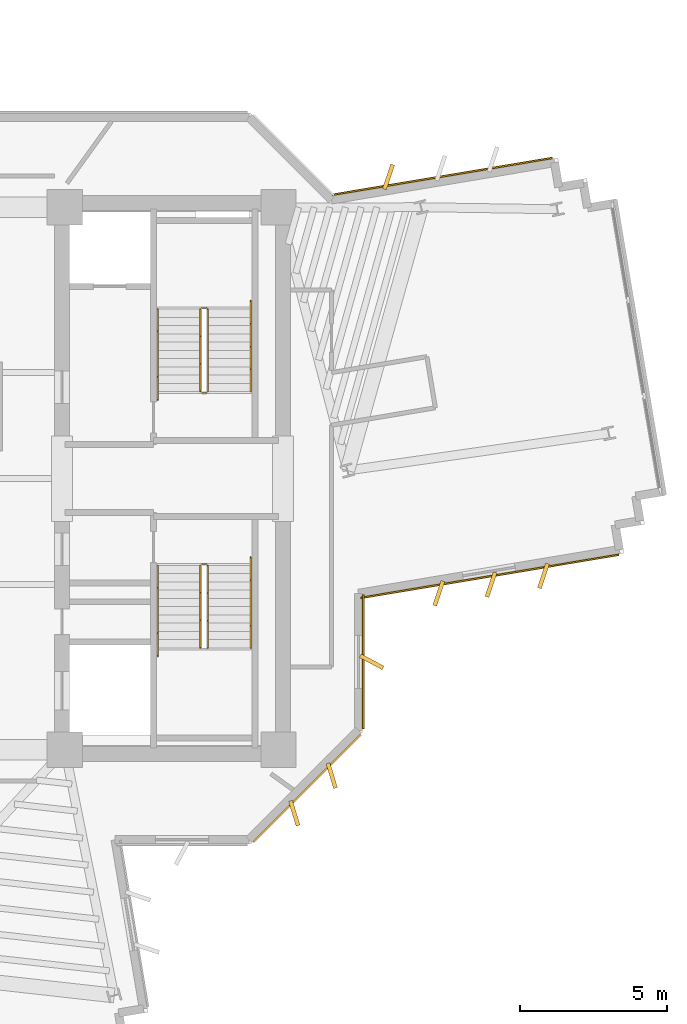
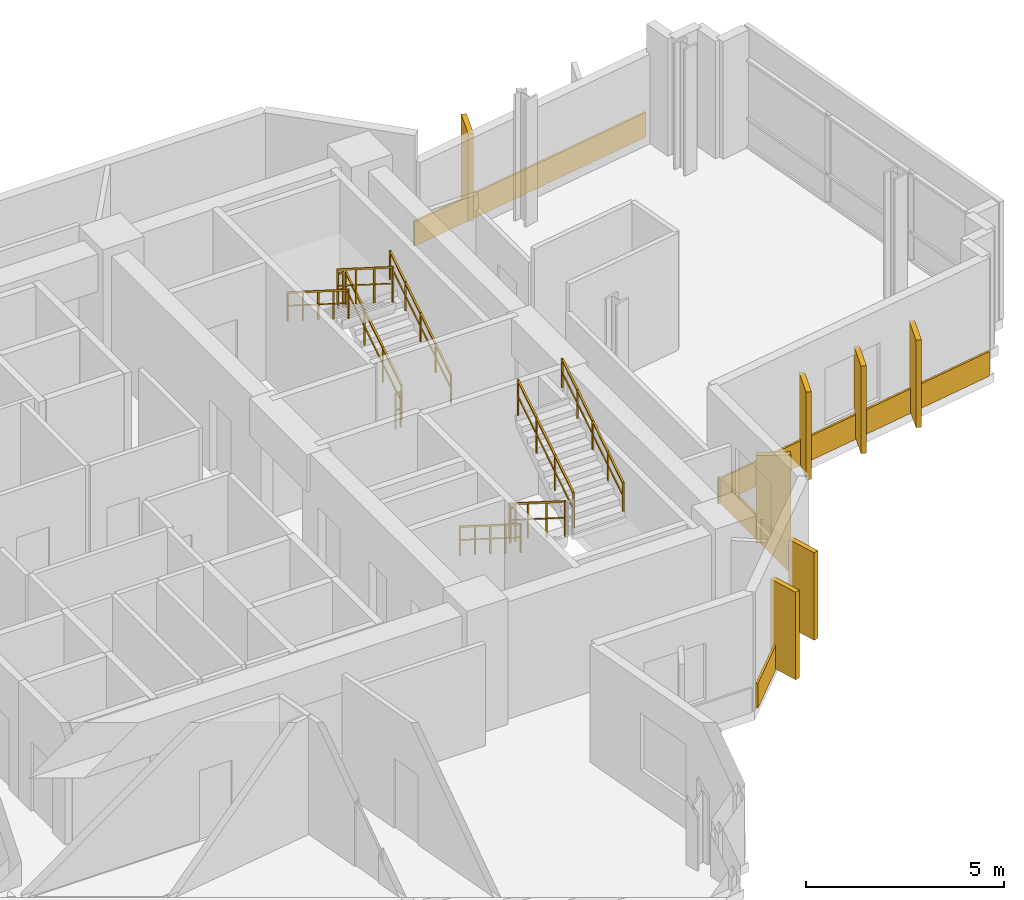
# One storey, part 14 of 15: 11 coverings, 11 railings.
"""IFC4 building model written with IfcOpenShell, lengths in metres."""

import ifcopenshell
import ifcopenshell.guid

model = None  # the IFC model being written
_history = None  # IfcOwnerHistory: only IFC2X3 demands one
_inside = {}  # id of a spatial element -> (the spatial element, [elements in it])
_under = {}  # id of a project, library or spatial element -> (it, [spatial elements below it])
_declared = {}  # id of a project -> (the project, [libraries it declares])
_typed = {}  # id of a type object -> (the type object, [elements of that type])
_made_of = {}  # id of a material, layer set ... -> (it, [elements and type objects made of it])


def new_model(schema):
    """Start an empty IFC model of exactly this schema.

    Asked for "IFC4X3", IfcOpenShell would pick the latest addendum, in which some entities
    have other attributes; the version numbers below select the first issue.
    IFC2X3 requires an IfcOwnerHistory on every rooted entity: one is made here for all.
    """
    global model, _history
    if schema == "IFC4X3":
        model = ifcopenshell.file(schema_version=(4, 3, 0, 0))
    else:
        model = ifcopenshell.file(schema=schema)
    _inside.clear()
    _under.clear()
    _declared.clear()
    _typed.clear()
    _made_of.clear()
    _history = None
    if model.schema == "IFC2X3":
        org = make("IfcOrganization", Name="unknown")
        user = make(
            "IfcPersonAndOrganization",
            ThePerson=make("IfcPerson", FamilyName="unknown"),
            TheOrganization=org,
        )
        app = make(
            "IfcApplication",
            ApplicationDeveloper=org,
            Version="unknown",
            ApplicationFullName="unknown",
            ApplicationIdentifier="unknown",
        )
        _history = make(
            "IfcOwnerHistory",
            OwningUser=user,
            OwningApplication=app,
            ChangeAction="ADDED",
            CreationDate=0,
        )
    return model


def make(cls, **values):
    """One entity of the class cls with the attributes given. An attribute that is None is left unset."""
    return model.create_entity(
        cls, **{name: value for name, value in values.items() if value is not None}
    )


def rooted(cls, **values):
    """An entity with a GlobalId (a new one), such as an element, a storey or a relation."""
    return make(cls, GlobalId=ifcopenshell.guid.new(), OwnerHistory=_history, **values)


def si_unit(unit_type, name, prefix=None):
    """IfcSIUnit, for example si_unit("LENGTHUNIT", "METRE", prefix="MILLI")."""
    return make("IfcSIUnit", UnitType=unit_type, Prefix=prefix, Name=name)


def assignment(units):
    """IfcUnitAssignment: the units of a project."""
    return None if units is None else make("IfcUnitAssignment", Units=units)


def point(xyz):
    """IfcCartesianPoint."""
    return None if xyz is None else make("IfcCartesianPoint", Coordinates=xyz)


def direction(xyz):
    """IfcDirection."""
    return None if xyz is None else make("IfcDirection", DirectionRatios=xyz)


def frame(location, z_axis=None, x_axis=None):
    """IfcAxis2Placement3D, a coordinate frame: its origin and axes. An axis left out is left unset."""
    return make(
        "IfcAxis2Placement3D",
        Location=point(location),
        Axis=direction(z_axis),
        RefDirection=direction(x_axis),
    )


def frame_2d(location, x_axis=None):
    """IfcAxis2Placement2D, a coordinate frame in the plane: its origin and x axis."""
    return make(
        "IfcAxis2Placement2D", Location=point(location), RefDirection=direction(x_axis)
    )


def origin():
    """The frame at (0, 0, 0) with its axes left unset."""
    return frame((0.0, 0.0, 0.0))


def origin_2d():
    """The frame at (0, 0) in the plane with its x axis left unset."""
    return frame_2d((0.0, 0.0))


def place(relative_to, where):
    """IfcLocalPlacement: puts the frame where relative to a parent placement (None: the world)."""
    return make(
        "IfcLocalPlacement", PlacementRelTo=relative_to, RelativePlacement=where
    )


def context(
    kind, dimensions, precision=None, world=None, true_north=None, identifier=None
):
    """IfcGeometricRepresentationContext, for example the 3D "Model" context."""
    return make(
        "IfcGeometricRepresentationContext",
        ContextIdentifier=identifier,
        ContextType=kind,
        CoordinateSpaceDimension=dimensions,
        Precision=precision,
        WorldCoordinateSystem=world,
        TrueNorth=true_north,
    )


def subcontext(parent, identifier, kind, view, scale=None):
    """IfcGeometricRepresentationSubContext, for example "Body" below "Model"."""
    return make(
        "IfcGeometricRepresentationSubContext",
        ContextIdentifier=identifier,
        ContextType=kind,
        ParentContext=parent,
        TargetScale=scale,
        TargetView=view,
    )


def project(units=None, contexts=None):
    """IfcProject with its units and contexts."""
    return rooted(
        "IfcProject",
        Name="project",
        RepresentationContexts=contexts,
        UnitsInContext=assignment(units),
    )


def spatial(cls, under=None, at=None, **own):
    """A site, building, storey or space (cls), placed at a placement, below another one or the project."""
    s = rooted(cls, ObjectPlacement=at, **own)
    if under is not None:
        _under.setdefault(under.id(), (under, []))[1].append(s)
    return s


def profile(cls, at=None, kind="AREA", **sizes):
    """A parametric profile (cls). Its sizes go by their IFC names, for example OverallWidth=200.0."""
    return make(cls, ProfileType=kind, Position=at, **sizes)


def rectangle(**sizes):
    """IfcRectangleProfileDef."""
    return profile("IfcRectangleProfileDef", **sizes)


def extrude(swept, where, along, depth):
    """IfcExtrudedAreaSolid: the profile swept, set in the frame where, extruded along a direction by depth."""
    return make(
        "IfcExtrudedAreaSolid",
        SweptArea=swept,
        Position=where,
        ExtrudedDirection=direction(along),
        Depth=depth,
    )


def shape(context_of_items, identifier, shape_type, items):
    """IfcShapeRepresentation: the items that make up one representation, for example the "Body"."""
    return make(
        "IfcShapeRepresentation",
        ContextOfItems=context_of_items,
        RepresentationIdentifier=identifier,
        RepresentationType=shape_type,
        Items=items,
    )


def source(mapping_origin, context_of_items, identifier, shape_type, items):
    """IfcRepresentationMap: a shape defined once, which mapped items show again and again."""
    return make(
        "IfcRepresentationMap",
        MappingOrigin=mapping_origin,
        MappedRepresentation=shape(context_of_items, identifier, shape_type, items),
    )


def transform(
    local_origin,
    x_axis=None,
    y_axis=None,
    z_axis=None,
    scale=None,
    scale2=None,
    scale3=None,
    uniform=True,
):
    """IfcCartesianTransformationOperator3D, or its non-uniform kind. x_axis, y_axis, z_axis: its Axis1, 2, 3."""
    if uniform:
        return make(
            "IfcCartesianTransformationOperator3D",
            Axis1=direction(x_axis),
            Axis2=direction(y_axis),
            LocalOrigin=point(local_origin),
            Scale=scale,
            Axis3=direction(z_axis),
        )
    return make(
        "IfcCartesianTransformationOperator3DnonUniform",
        Axis1=direction(x_axis),
        Axis2=direction(y_axis),
        LocalOrigin=point(local_origin),
        Scale=scale,
        Axis3=direction(z_axis),
        Scale2=scale2,
        Scale3=scale3,
    )


def mapped(mapping_source, mapping_target):
    """IfcMappedItem: shows the shape of a source again, moved by a transform."""
    return make(
        "IfcMappedItem", MappingSource=mapping_source, MappingTarget=mapping_target
    )


def material(Name=None, Category=None):
    """IfcMaterial."""
    return make("IfcMaterial", Name=Name, Category=Category)


def layer(
    of_material, thickness, ventilated=None, Name=None, Category=None, Priority=None
):
    """IfcMaterialLayer: one layer of a wall or slab, of a material (None: an air gap)."""
    return make(
        "IfcMaterialLayer",
        Material=of_material,
        LayerThickness=thickness,
        IsVentilated=ventilated,
        Name=Name,
        Category=Category,
        Priority=Priority,
    )


def layer_set(layers, Name=None):
    """IfcMaterialLayerSet."""
    return make("IfcMaterialLayerSet", MaterialLayers=layers, LayerSetName=Name)


def made_of(thing, what):
    """Note that an element or type object is made of a material, layer set ...; save() writes the relation."""
    if what is not None:
        _made_of.setdefault(what.id(), (what, []))[1].append(thing)
    return thing


def type_object(cls, material=None, **own):
    """A type object (cls), such as IfcWallType, which elements share."""
    return made_of(rooted(cls, **own), material)


def element(
    cls,
    number,
    at=None,
    inside=None,
    cuts=None,
    type_object=None,
    material=None,
    context=None,
    identifier="Body",
    shape_type=None,
    held_by="IfcProductDefinitionShape",
    body=None,
    shapes=None,
    **own,
):
    """One element of the class cls, such as IfcWall. Its Tag is "e" and its number.

    at: its placement. inside: the storey or other place that contains it. cuts: it is an
    opening in that element (IfcRelVoidsElement). A single representation is given by context,
    identifier, shape_type and body (its items); several are given by shapes. held_by: the class
    of the entity that holds the representations. save() writes the other relations.
    """
    e = rooted(cls, Tag="e%d" % number, ObjectPlacement=at, **own)
    if body is not None:
        shapes = [shape(context, identifier, shape_type, body)]
    if shapes is not None:
        e.Representation = make(held_by, Representations=shapes)
    if inside is not None:
        _inside.setdefault(inside.id(), (inside, []))[1].append(e)
    if cuts is not None:
        rooted(
            "IfcRelVoidsElement", RelatingBuildingElement=cuts, RelatedOpeningElement=e
        )
    if type_object is not None:
        _typed.setdefault(type_object.id(), (type_object, []))[1].append(e)
    return made_of(e, material)


def aggregate(whole, parts):
    """IfcRelAggregates: a whole, such as a stair, and the parts it consists of."""
    return rooted("IfcRelAggregates", RelatingObject=whole, RelatedObjects=parts)


def save(model, path):
    """Write the relations noted so far, then the file.

    IfcRelAggregates (storeys below a building ...), IfcRelContainedInSpatialStructure (elements
    in a storey), IfcRelDefinesByType, IfcRelAssociatesMaterial and IfcRelDeclares: one each for
    every whole, place, type object, material and project.
    """
    for whole, parts in _under.values():
        aggregate(whole, parts)
    for where, things in _inside.values():
        rooted(
            "IfcRelContainedInSpatialStructure",
            RelatedElements=things,
            RelatingStructure=where,
        )
    for kind, things in _typed.values():
        rooted("IfcRelDefinesByType", RelatedObjects=things, RelatingType=kind)
    for what, things in _made_of.values():
        rooted("IfcRelAssociatesMaterial", RelatedObjects=things, RelatingMaterial=what)
    for by, libraries in _declared.values():
        rooted("IfcRelDeclares", RelatingContext=by, RelatedDefinitions=libraries)
    model.write(path)


model = new_model("IFC4")

# Units and contexts
model_context = context("Model", 3, precision=1e-05, world=origin(), true_north=direction((0.0, 1.0)))
body_context = subcontext(model_context, "Body", "Model", "MODEL_VIEW")
ifc_project = project(units=[si_unit("LENGTHUNIT", "METRE"), si_unit("AREAUNIT", "SQUARE_METRE"), si_unit("VOLUMEUNIT", "CUBIC_METRE"), si_unit("PLANEANGLEUNIT", "RADIAN"), si_unit("MASSUNIT", "GRAM", prefix="KILO")], contexts=[model_context])

# Site, building, storey
site_placement = place(None, origin())
site = spatial("IfcSite", under=ifc_project, at=site_placement, CompositionType="ELEMENT")
building_placement = place(site_placement, origin())
building = spatial("IfcBuilding", under=site, at=building_placement, Name="Zahravan Cultural Tower", CompositionType="ELEMENT")
storey_placement = place(building_placement, frame((0.0, 0.0, 143.39990234375)))
storey = spatial("IfcBuildingStorey", under=building, at=storey_placement, Name="L32", CompositionType="ELEMENT", Elevation=143.39990234375)

# Railings
ifc_material_1 = material(Name="Steel ASTM A572 Grade 50", Category="steel")
railing_type_1 = type_object("IfcRailingType", Name="RL-STAIR-GRD1150", PredefinedType="BALUSTRADE", material=ifc_material_1)
railing_1_placement = place(storey_placement, frame((47.949951171875, 29.949951171875, 0.177490234375)))
element("IfcRailing", 1, at=railing_1_placement, inside=storey, type_object=railing_type_1, Name="L32 ST-E1 stair guard 1", PredefinedType="BALUSTRADE", context=body_context, shape_type="SweptSolid", body=[
    extrude(rectangle(XDim=0.05, YDim=0.05, at=origin_2d()), frame((0.0, 0.0, 1.0751953125), z_axis=(0.0, 0.844908973607, 0.534910110503), x_axis=(-1.0, 0.0, 0.0)), (0.0, 0.0, 1.0), 3.31396484375),
    extrude(rectangle(XDim=0.032, YDim=0.032, at=origin_2d()), frame((0.0, 0.0, 0.572021484375), z_axis=(0.0, 0.844908973607, 0.534910110503), x_axis=(-1.0, 0.0, 0.0)), (0.0, 0.0, 1.0), 3.31396484375),
    extrude(rectangle(XDim=0.04, YDim=0.04, at=origin_2d()), origin(), (0.0, 0.0, 1.0), 1.10009765625),
    extrude(rectangle(XDim=0.04, YDim=0.04, at=origin_2d()), frame((0.0, 0.933349609375, 0.5908203125)), (0.0, 0.0, 1.0), 1.10009765625),
    extrude(rectangle(XDim=0.04, YDim=0.04, at=origin_2d()), frame((0.0, 1.86669921875, 1.181884765625)), (0.0, 0.0, 1.0), 1.10009765625),
    extrude(rectangle(XDim=0.04, YDim=0.04, at=origin_2d()), frame((0.0, 2.800048828125, 1.772705078125)), (0.0, 0.0, 1.0), 1.10009765625),
])
railing_2_placement = place(storey_placement, frame((47.89990234375, 32.800048828125, 1.9501953125)))
element("IfcRailing", 2, at=railing_2_placement, inside=storey, type_object=railing_type_1, Name="L32 ST-E1 stair guard 2", PredefinedType="BALUSTRADE", context=body_context, shape_type="SweptSolid", body=[
    extrude(rectangle(XDim=0.05, YDim=0.05, at=origin_2d()), frame((0.0, 0.0, 1.0751953125), z_axis=(-1.0, 0.0, 0.0), x_axis=(0.0, -1.0, 0.0)), (0.0, 0.0, 1.0), 0.14990234375),
    extrude(rectangle(XDim=0.032, YDim=0.032, at=origin_2d()), frame((0.0, 0.0, 0.572021484375), z_axis=(-1.0, 0.0, 0.0), x_axis=(0.0, -1.0, 0.0)), (0.0, 0.0, 1.0), 0.14990234375),
    extrude(rectangle(XDim=0.04, YDim=0.04, at=origin_2d()), origin(), (0.0, 0.0, 1.0), 1.10009765625),
    extrude(rectangle(XDim=0.04, YDim=0.04, at=origin_2d()), frame((-0.14990234375, 0.0, 0.0)), (0.0, 0.0, 1.0), 1.10009765625),
])
railing_3_placement = place(storey_placement, frame((47.699951171875, 32.75, 2.12744140625)))
element("IfcRailing", 3, at=railing_3_placement, inside=storey, type_object=railing_type_1, Name="L32 ST-E1 stair guard 3", PredefinedType="BALUSTRADE", context=body_context, shape_type="SweptSolid", body=[
    extrude(rectangle(XDim=0.05, YDim=0.05, at=origin_2d()), frame((0.0, 0.0, 1.0751953125), z_axis=(0.0, -0.844908973607, 0.534910110503), x_axis=(1.0, 0.0, 0.0)), (0.0, 0.0, 1.0), 3.31396484375),
    extrude(rectangle(XDim=0.032, YDim=0.032, at=origin_2d()), frame((0.0, 0.0, 0.572021484375), z_axis=(0.0, -0.844908973607, 0.534910110503), x_axis=(1.0, 0.0, 0.0)), (0.0, 0.0, 1.0), 3.31396484375),
    extrude(rectangle(XDim=0.04, YDim=0.04, at=origin_2d()), origin(), (0.0, 0.0, 1.0), 1.10009765625),
    extrude(rectangle(XDim=0.04, YDim=0.04, at=origin_2d()), frame((0.0, -0.933349609375, 0.5908203125)), (0.0, 0.0, 1.0), 1.10009765625),
    extrude(rectangle(XDim=0.04, YDim=0.04, at=origin_2d()), frame((0.0, -1.86669921875, 1.181884765625)), (0.0, 0.0, 1.0), 1.10009765625),
    extrude(rectangle(XDim=0.04, YDim=0.04, at=origin_2d()), frame((0.0, -2.800048828125, 1.772705078125)), (0.0, 0.0, 1.0), 1.10009765625),
])
railing_4_placement = place(storey_placement, frame((47.89990234375, 29.89990234375, 0.0)))
element("IfcRailing", 4, at=railing_4_placement, inside=storey, type_object=railing_type_1, Name="L32 ST-E1 stair guard 4", PredefinedType="BALUSTRADE", context=body_context, shape_type="SweptSolid", body=[
    extrude(rectangle(XDim=0.05, YDim=0.05, at=origin_2d()), frame((0.0, 0.0, 1.0751953125), z_axis=(-1.0, 0.0, 0.0), x_axis=(0.0, -1.0, 0.0)), (0.0, 0.0, 1.0), 0.14990234375),
    extrude(rectangle(XDim=0.032, YDim=0.032, at=origin_2d()), frame((0.0, 0.0, 0.572021484375), z_axis=(-1.0, 0.0, 0.0), x_axis=(0.0, -1.0, 0.0)), (0.0, 0.0, 1.0), 0.14990234375),
    extrude(rectangle(XDim=0.04, YDim=0.04, at=origin_2d()), origin(), (0.0, 0.0, 1.0), 1.10009765625),
    extrude(rectangle(XDim=0.04, YDim=0.04, at=origin_2d()), frame((-0.14990234375, 0.0, 0.0)), (0.0, 0.0, 1.0), 1.10009765625),
])
railing_5_placement = place(storey_placement, frame((47.699951171875, 24.050048828125, 0.177490234375)))
element("IfcRailing", 5, at=railing_5_placement, inside=storey, type_object=railing_type_1, Name="L32 ST-E2 stair guard 1", PredefinedType="BALUSTRADE", context=body_context, shape_type="SweptSolid", body=[
    extrude(rectangle(XDim=0.05, YDim=0.05, at=origin_2d()), frame((0.0, 0.0, 1.0751953125), z_axis=(0.0, -0.844908973607, 0.534910110503), x_axis=(1.0, 0.0, 0.0)), (0.0, 0.0, 1.0), 3.31396484375),
    extrude(rectangle(XDim=0.032, YDim=0.032, at=origin_2d()), frame((0.0, 0.0, 0.572021484375), z_axis=(0.0, -0.844908973607, 0.534910110503), x_axis=(1.0, 0.0, 0.0)), (0.0, 0.0, 1.0), 3.31396484375),
    extrude(rectangle(XDim=0.04, YDim=0.04, at=origin_2d()), origin(), (0.0, 0.0, 1.0), 1.10009765625),
    extrude(rectangle(XDim=0.04, YDim=0.04, at=origin_2d()), frame((0.0, -0.933349609375, 0.5908203125)), (0.0, 0.0, 1.0), 1.10009765625),
    extrude(rectangle(XDim=0.04, YDim=0.04, at=origin_2d()), frame((0.0, -1.86669921875, 1.181884765625)), (0.0, 0.0, 1.0), 1.10009765625),
    extrude(rectangle(XDim=0.04, YDim=0.04, at=origin_2d()), frame((0.0, -2.800048828125, 1.772705078125)), (0.0, 0.0, 1.0), 1.10009765625),
])
railing_6_placement = place(storey_placement, frame((47.949951171875, 21.25, 2.12744140625)))
element("IfcRailing", 6, at=railing_6_placement, inside=storey, type_object=railing_type_1, Name="L32 ST-E2 stair guard 3", PredefinedType="BALUSTRADE", context=body_context, shape_type="SweptSolid", body=[
    extrude(rectangle(XDim=0.05, YDim=0.05, at=origin_2d()), frame((0.0, 0.0, 1.0751953125), z_axis=(0.0, 0.844908973607, 0.534910110503), x_axis=(-1.0, 0.0, 0.0)), (0.0, 0.0, 1.0), 3.31396484375),
    extrude(rectangle(XDim=0.032, YDim=0.032, at=origin_2d()), frame((0.0, 0.0, 0.572021484375), z_axis=(0.0, 0.844908973607, 0.534910110503), x_axis=(-1.0, 0.0, 0.0)), (0.0, 0.0, 1.0), 3.31396484375),
    extrude(rectangle(XDim=0.04, YDim=0.04, at=origin_2d()), origin(), (0.0, 0.0, 1.0), 1.10009765625),
    extrude(rectangle(XDim=0.04, YDim=0.04, at=origin_2d()), frame((0.0, 0.933349609375, 0.5908203125)), (0.0, 0.0, 1.0), 1.10009765625),
    extrude(rectangle(XDim=0.04, YDim=0.04, at=origin_2d()), frame((0.0, 1.86669921875, 1.181884765625)), (0.0, 0.0, 1.0), 1.10009765625),
    extrude(rectangle(XDim=0.04, YDim=0.04, at=origin_2d()), frame((0.0, 2.800048828125, 1.772705078125)), (0.0, 0.0, 1.0), 1.10009765625),
])
railing_7_placement = place(storey_placement, frame((47.75, 24.10009765625, 0.0)))
element("IfcRailing", 7, at=railing_7_placement, inside=storey, type_object=railing_type_1, Name="L32 ST-E2 stair guard 4", PredefinedType="BALUSTRADE", context=body_context, shape_type="SweptSolid", body=[
    extrude(rectangle(XDim=0.05, YDim=0.05, at=origin_2d()), frame((0.0, 0.0, 1.0751953125), z_axis=(1.0, 0.0, 0.0), x_axis=(0.0, 1.0, 0.0)), (0.0, 0.0, 1.0), 0.14990234375),
    extrude(rectangle(XDim=0.032, YDim=0.032, at=origin_2d()), frame((0.0, 0.0, 0.572021484375), z_axis=(1.0, 0.0, 0.0), x_axis=(0.0, 1.0, 0.0)), (0.0, 0.0, 1.0), 0.14990234375),
    extrude(rectangle(XDim=0.04, YDim=0.04, at=origin_2d()), origin(), (0.0, 0.0, 1.0), 1.10009765625),
    extrude(rectangle(XDim=0.04, YDim=0.04, at=origin_2d()), frame((0.14990234375, 0.0, 0.0)), (0.0, 0.0, 1.0), 1.10009765625),
])
railing_type_2 = type_object("IfcRailingType", Name="RL-STAIR-HR900", PredefinedType="HANDRAIL", material=ifc_material_1)
railing_8_placement = place(storey_placement, frame((49.39990234375, 29.949951171875, 0.177490234375)))
element("IfcRailing", 8, at=railing_8_placement, inside=storey, type_object=railing_type_2, Name="L32 ST-E1 stair handrail 1", PredefinedType="HANDRAIL", context=body_context, shape_type="SweptSolid", body=[
    extrude(rectangle(XDim=0.05, YDim=0.05, at=origin_2d()), frame((0.0, 0.0, 0.875), z_axis=(0.0, 0.844913916606, 0.534902302785), x_axis=(-1.0, 0.0, 0.0)), (0.0, 0.0, 1.0), 3.6455078125),
    extrude(rectangle(XDim=0.032, YDim=0.032, at=origin_2d()), frame((0.0, 0.0, 0.468017578125), z_axis=(0.0, 0.844913916606, 0.534902302785), x_axis=(-1.0, 0.0, 0.0)), (0.0, 0.0, 1.0), 3.6455078125),
    extrude(rectangle(XDim=0.04, YDim=0.04, at=origin_2d()), origin(), (0.0, 0.0, 1.0), 0.89990234375),
    extrude(rectangle(XDim=0.04, YDim=0.04, at=origin_2d()), frame((0.0, 0.77001953125, 0.487548828125)), (0.0, 0.0, 1.0), 0.89990234375),
    extrude(rectangle(XDim=0.04, YDim=0.04, at=origin_2d()), frame((0.0, 1.5400390625, 0.97509765625)), (0.0, 0.0, 1.0), 0.89990234375),
    extrude(rectangle(XDim=0.04, YDim=0.04, at=origin_2d()), frame((0.0, 2.31005859375, 1.46240234375)), (0.0, 0.0, 1.0), 0.89990234375),
    extrude(rectangle(XDim=0.04, YDim=0.04, at=origin_2d()), frame((0.0, 3.080078125, 1.949951171875)), (0.0, 0.0, 1.0), 0.89990234375),
])
for number, where, name in (
    (9, (46.25, 32.75, 2.12744140625), "L32 ST-E1 stair handrail 2"),
    (10, (46.25, 24.050048828125, 0.177490234375), "L32 ST-E2 stair handrail 1"),
):
    element("IfcRailing", number, at=place(storey_placement, frame(where)), inside=storey, type_object=railing_type_2, Name=name, PredefinedType="HANDRAIL", context=body_context, shape_type="SweptSolid", body=[
        extrude(rectangle(XDim=0.05, YDim=0.05, at=origin_2d()), frame((0.0, 0.0, 0.875), z_axis=(0.0, -0.844913916606, 0.534902302785), x_axis=(1.0, 0.0, 0.0)), (0.0, 0.0, 1.0), 3.6455078125),
        extrude(rectangle(XDim=0.032, YDim=0.032, at=origin_2d()), frame((0.0, 0.0, 0.468017578125), z_axis=(0.0, -0.844913916606, 0.534902302785), x_axis=(1.0, 0.0, 0.0)), (0.0, 0.0, 1.0), 3.6455078125),
        extrude(rectangle(XDim=0.04, YDim=0.04, at=origin_2d()), origin(), (0.0, 0.0, 1.0), 0.89990234375),
        extrude(rectangle(XDim=0.04, YDim=0.04, at=origin_2d()), frame((0.0, -0.77001953125, 0.487548828125)), (0.0, 0.0, 1.0), 0.89990234375),
        extrude(rectangle(XDim=0.04, YDim=0.04, at=origin_2d()), frame((0.0, -1.5400390625, 0.97509765625)), (0.0, 0.0, 1.0), 0.89990234375),
        extrude(rectangle(XDim=0.04, YDim=0.04, at=origin_2d()), frame((0.0, -2.31005859375, 1.46240234375)), (0.0, 0.0, 1.0), 0.89990234375),
        extrude(rectangle(XDim=0.04, YDim=0.04, at=origin_2d()), frame((0.0, -3.080078125, 1.949951171875)), (0.0, 0.0, 1.0), 0.89990234375),
    ])
railing_9_placement = place(storey_placement, frame((49.39990234375, 21.25, 2.12744140625)))
element("IfcRailing", 11, at=railing_9_placement, inside=storey, type_object=railing_type_2, Name="L32 ST-E2 stair handrail 2", PredefinedType="HANDRAIL", context=body_context, shape_type="SweptSolid", body=[
    extrude(rectangle(XDim=0.05, YDim=0.05, at=origin_2d()), frame((0.0, 0.0, 0.875), z_axis=(0.0, 0.844913916606, 0.534902302785), x_axis=(-1.0, 0.0, 0.0)), (0.0, 0.0, 1.0), 3.6455078125),
    extrude(rectangle(XDim=0.032, YDim=0.032, at=origin_2d()), frame((0.0, 0.0, 0.468017578125), z_axis=(0.0, 0.844913916606, 0.534902302785), x_axis=(-1.0, 0.0, 0.0)), (0.0, 0.0, 1.0), 3.6455078125),
    extrude(rectangle(XDim=0.04, YDim=0.04, at=origin_2d()), origin(), (0.0, 0.0, 1.0), 0.89990234375),
    extrude(rectangle(XDim=0.04, YDim=0.04, at=origin_2d()), frame((0.0, 0.77001953125, 0.487548828125)), (0.0, 0.0, 1.0), 0.89990234375),
    extrude(rectangle(XDim=0.04, YDim=0.04, at=origin_2d()), frame((0.0, 1.5400390625, 0.97509765625)), (0.0, 0.0, 1.0), 0.89990234375),
    extrude(rectangle(XDim=0.04, YDim=0.04, at=origin_2d()), frame((0.0, 2.31005859375, 1.46240234375)), (0.0, 0.0, 1.0), 0.89990234375),
    extrude(rectangle(XDim=0.04, YDim=0.04, at=origin_2d()), frame((0.0, 3.080078125, 1.949951171875)), (0.0, 0.0, 1.0), 0.89990234375),
])

# Coverings
ifc_material_2 = material(Name="Terracotta ceramic cladding", Category="masonry")
ifc_layer = layer(ifc_material_2, 0.06005859375)
ifc_layer_set = layer_set([ifc_layer], Name="Terracotta ceramic cladding")
covering_type = type_object("IfcCoveringType", Name="COV-CLAD-TC60", PredefinedType="CLADDING", material=ifc_layer_set)
shared_shape_1 = source(origin(), body_context, "Body", "SweptSolid", [
    extrude(rectangle(XDim=5.157958984375, YDim=0.06005859375, at=origin_2d()), origin(), (0.0, 0.0, 1.0), 0.760009765625),
])
covering_1_placement = place(storey_placement, frame((51.317626953125, 16.482421875, 0.02001953125), z_axis=(0.0, 0.0, 1.0), x_axis=(-0.707106781187, -0.707106781187, 0.0)))
element("IfcCovering", 12, at=covering_1_placement, inside=storey, type_object=covering_type, Name="L32 Terracotta Spandrel Cladding 12", PredefinedType="CLADDING", context=body_context, shape_type="MappedRepresentation", body=[
    mapped(shared_shape_1, transform((0.0, 0.0, 0.0), x_axis=(1.0, 0.0, 0.0), y_axis=(0.0, 1.0, 0.0), z_axis=(0.0, 0.0, 1.0), scale=1.0)),
])
shared_shape_2 = source(origin(), body_context, "Body", "SweptSolid", [
    extrude(rectangle(XDim=7.573486328125, YDim=0.06005859375, at=origin_2d()), origin(), (0.0, 0.0, 1.0), 0.760009765625),
])
covering_2_placement = place(storey_placement, frame((55.904296875, 37.250732421875, 0.02001953125), z_axis=(0.0, 0.0, 1.0), x_axis=(0.986285601537, 0.165047605861, 0.0)))
element("IfcCovering", 13, at=covering_2_placement, inside=storey, type_object=covering_type, Name="L32 Terracotta Spandrel Cladding 01", PredefinedType="CLADDING", context=body_context, shape_type="MappedRepresentation", body=[
    mapped(shared_shape_2, transform((0.0, 0.0, 0.0), x_axis=(1.0, 0.0, 0.0), y_axis=(0.0, 1.0, 0.0), z_axis=(0.0, 0.0, 1.0), scale=1.0)),
])
shared_shape_3 = source(origin(), body_context, "Body", "SweptSolid", [
    extrude(rectangle(XDim=0.8798828125, YDim=0.139892578125, at=origin_2d()), origin(), (0.0, 0.0, 1.0), 2.699951171875),
])
for number, where, z_axis, x_axis, name in (
    (14, (54.081787109375, 37.234619140625, 0.05029296875), (0.0, 0.0, 1.0), (0.317304656405, 0.948323655206, 0.0), "L32 Herringbone Terracotta Fin 01"),
    (15, (59.336669921875, 23.6962890625, 0.05029296875), (0.0, 0.0, 1.0), (-0.317304656405, -0.948323655206, 0.0), "L32 Herringbone Terracotta Fin 04"),
    (16, (57.561279296875, 23.3994140625, 0.05029296875), (0.0, 0.0, 1.0), (-0.317304656405, -0.948323655206, 0.0), "L32 Herringbone Terracotta Fin 05"),
    (17, (55.785888671875, 23.102294921875, 0.05029296875), (0.0, 0.0, 1.0), (-0.317304656405, -0.948323655206, 0.0), "L32 Herringbone Terracotta Fin 06"),
    (18, (53.510009765625, 20.780029296875, 0.05029296875), (0.0, 0.0, 1.0), (0.882947592859, -0.469471562786, 0.0), "L32 Herringbone Terracotta Fin 07"),
    (19, (52.155517578125, 16.917236328125, 0.05029296875), (0.0, 0.0, 1.0), (0.292371704723, -0.956304755963, 0.0), "L32 Herringbone Terracotta Fin 08"),
    (20, (50.8828125, 15.644287109375, 0.05029296875), (0.0, 0.0, 1.0), (0.292371704723, -0.956304755963, 0.0), "L32 Herringbone Terracotta Fin 09"),
):
    element("IfcCovering", number, at=place(storey_placement, frame(where, z_axis=z_axis, x_axis=x_axis)), inside=storey, type_object=covering_type, Name=name, PredefinedType="CLADDING", context=body_context, shape_type="MappedRepresentation", body=[
        mapped(shared_shape_3, transform((0.0, 0.0, 0.0), x_axis=(1.0, 0.0, 0.0), y_axis=(0.0, 1.0, 0.0), z_axis=(0.0, 0.0, 1.0), scale=1.0)),
    ])
shared_shape_4 = source(origin(), body_context, "Body", "SweptSolid", [
    extrude(rectangle(XDim=8.877197265625, YDim=0.06005859375, at=origin_2d()), origin(), (0.0, 0.0, 1.0), 0.760009765625),
])
covering_3_placement = place(storey_placement, frame((57.514404296875, 23.680419921875, 0.02001953125), z_axis=(0.0, 0.0, 1.0), x_axis=(-0.986285601537, -0.165047605861, 0.0)))
element("IfcCovering", 21, at=covering_3_placement, inside=storey, type_object=covering_type, Name="L32 Terracotta Spandrel Cladding 10", PredefinedType="CLADDING", context=body_context, shape_type="MappedRepresentation", body=[
    mapped(shared_shape_4, transform((0.0, 0.0, 0.0), x_axis=(1.0, 0.0, 0.0), y_axis=(0.0, 1.0, 0.0), z_axis=(0.0, 0.0, 1.0), scale=1.0)),
])
shared_shape_5 = source(origin(), body_context, "Body", "SweptSolid", [
    extrude(rectangle(XDim=4.544189453125, YDim=0.06005859375, at=origin_2d()), origin(), (0.0, 0.0, 1.0), 0.760009765625),
])
covering_4_placement = place(storey_placement, frame((53.22509765625, 20.780029296875, 0.02001953125), z_axis=(0.0, 0.0, 1.0), x_axis=(0.0, -1.0, 0.0)))
element("IfcCovering", 22, at=covering_4_placement, inside=storey, type_object=covering_type, Name="L32 Terracotta Spandrel Cladding 11", PredefinedType="CLADDING", context=body_context, shape_type="MappedRepresentation", body=[
    mapped(shared_shape_5, transform((0.0, 0.0, 0.0), x_axis=(1.0, 0.0, 0.0), y_axis=(0.0, 1.0, 0.0), z_axis=(0.0, 0.0, 1.0), scale=1.0)),
])

save(model, "model.ifc")
